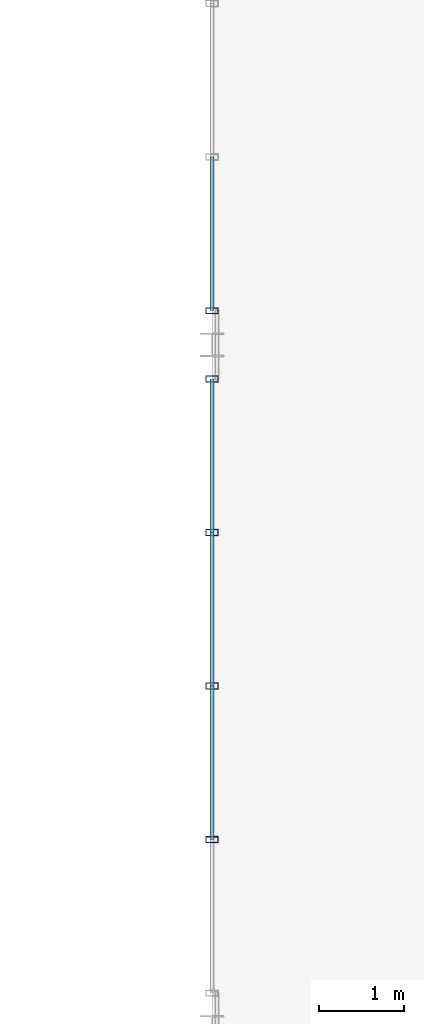
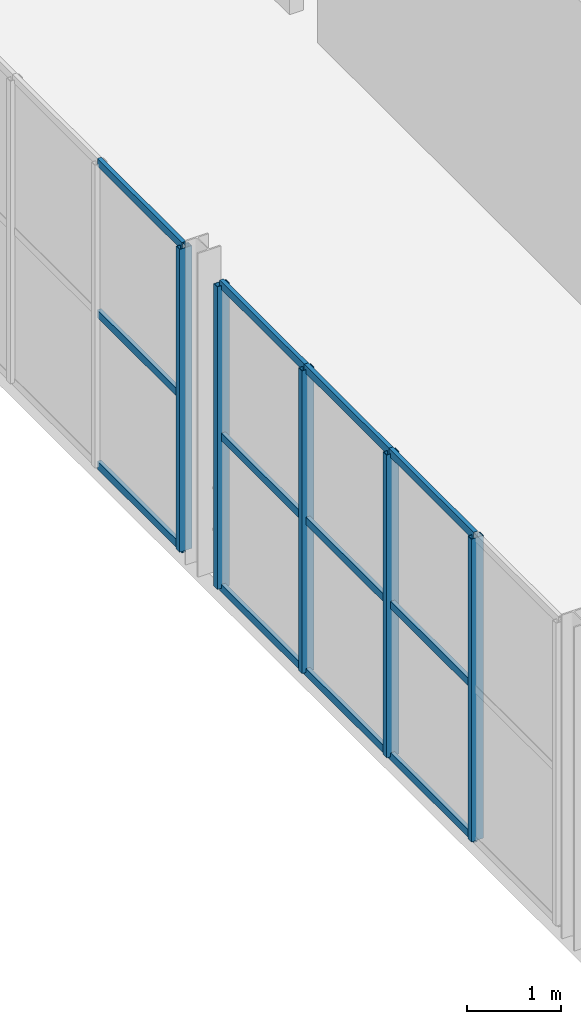
# One storey, part 51 of 122: 17 members, 2 elements without a shape of their own.
"""IFC4 building model written with IfcOpenShell, lengths in metres."""

import ifcopenshell
import ifcopenshell.guid

model = None  # the IFC model being written
_history = None  # IfcOwnerHistory: only IFC2X3 demands one
_inside = {}  # id of a spatial element -> (the spatial element, [elements in it])
_under = {}  # id of a project, library or spatial element -> (it, [spatial elements below it])
_declared = {}  # id of a project -> (the project, [libraries it declares])
_typed = {}  # id of a type object -> (the type object, [elements of that type])
_made_of = {}  # id of a material, layer set ... -> (it, [elements and type objects made of it])


def new_model(schema):
    """Start an empty IFC model of exactly this schema.

    Asked for "IFC4X3", IfcOpenShell would pick the latest addendum, in which some entities
    have other attributes; the version numbers below select the first issue.
    IFC2X3 requires an IfcOwnerHistory on every rooted entity: one is made here for all.
    """
    global model, _history
    if schema == "IFC4X3":
        model = ifcopenshell.file(schema_version=(4, 3, 0, 0))
    else:
        model = ifcopenshell.file(schema=schema)
    _inside.clear()
    _under.clear()
    _declared.clear()
    _typed.clear()
    _made_of.clear()
    _history = None
    if model.schema == "IFC2X3":
        org = make("IfcOrganization", Name="unknown")
        user = make(
            "IfcPersonAndOrganization",
            ThePerson=make("IfcPerson", FamilyName="unknown"),
            TheOrganization=org,
        )
        app = make(
            "IfcApplication",
            ApplicationDeveloper=org,
            Version="unknown",
            ApplicationFullName="unknown",
            ApplicationIdentifier="unknown",
        )
        _history = make(
            "IfcOwnerHistory",
            OwningUser=user,
            OwningApplication=app,
            ChangeAction="ADDED",
            CreationDate=0,
        )
    return model


def make(cls, **values):
    """One entity of the class cls with the attributes given. An attribute that is None is left unset."""
    return model.create_entity(
        cls, **{name: value for name, value in values.items() if value is not None}
    )


def rooted(cls, **values):
    """An entity with a GlobalId (a new one), such as an element, a storey or a relation."""
    return make(cls, GlobalId=ifcopenshell.guid.new(), OwnerHistory=_history, **values)


def si_unit(unit_type, name, prefix=None):
    """IfcSIUnit, for example si_unit("LENGTHUNIT", "METRE", prefix="MILLI")."""
    return make("IfcSIUnit", UnitType=unit_type, Prefix=prefix, Name=name)


def assignment(units):
    """IfcUnitAssignment: the units of a project."""
    return None if units is None else make("IfcUnitAssignment", Units=units)


def point(xyz):
    """IfcCartesianPoint."""
    return None if xyz is None else make("IfcCartesianPoint", Coordinates=xyz)


def direction(xyz):
    """IfcDirection."""
    return None if xyz is None else make("IfcDirection", DirectionRatios=xyz)


def frame(location, z_axis=None, x_axis=None):
    """IfcAxis2Placement3D, a coordinate frame: its origin and axes. An axis left out is left unset."""
    return make(
        "IfcAxis2Placement3D",
        Location=point(location),
        Axis=direction(z_axis),
        RefDirection=direction(x_axis),
    )


def frame_2d(location, x_axis=None):
    """IfcAxis2Placement2D, a coordinate frame in the plane: its origin and x axis."""
    return make(
        "IfcAxis2Placement2D", Location=point(location), RefDirection=direction(x_axis)
    )


def origin():
    """The frame at (0, 0, 0) with its axes left unset."""
    return frame((0.0, 0.0, 0.0))


def origin_2d():
    """The frame at (0, 0) in the plane with its x axis left unset."""
    return frame_2d((0.0, 0.0))


def place(relative_to, where):
    """IfcLocalPlacement: puts the frame where relative to a parent placement (None: the world)."""
    return make(
        "IfcLocalPlacement", PlacementRelTo=relative_to, RelativePlacement=where
    )


def context(
    kind, dimensions, precision=None, world=None, true_north=None, identifier=None
):
    """IfcGeometricRepresentationContext, for example the 3D "Model" context."""
    return make(
        "IfcGeometricRepresentationContext",
        ContextIdentifier=identifier,
        ContextType=kind,
        CoordinateSpaceDimension=dimensions,
        Precision=precision,
        WorldCoordinateSystem=world,
        TrueNorth=true_north,
    )


def subcontext(parent, identifier, kind, view, scale=None):
    """IfcGeometricRepresentationSubContext, for example "Body" below "Model"."""
    return make(
        "IfcGeometricRepresentationSubContext",
        ContextIdentifier=identifier,
        ContextType=kind,
        ParentContext=parent,
        TargetScale=scale,
        TargetView=view,
    )


def project(units=None, contexts=None):
    """IfcProject with its units and contexts."""
    return rooted(
        "IfcProject",
        Name="project",
        RepresentationContexts=contexts,
        UnitsInContext=assignment(units),
    )


def spatial(cls, under=None, at=None, **own):
    """A site, building, storey or space (cls), placed at a placement, below another one or the project."""
    s = rooted(cls, ObjectPlacement=at, **own)
    if under is not None:
        _under.setdefault(under.id(), (under, []))[1].append(s)
    return s


def profile(cls, at=None, kind="AREA", **sizes):
    """A parametric profile (cls). Its sizes go by their IFC names, for example OverallWidth=200.0."""
    return make(cls, ProfileType=kind, Position=at, **sizes)


def hollow_rectangle(**sizes):
    """IfcRectangleHollowProfileDef."""
    return profile("IfcRectangleHollowProfileDef", **sizes)


def extrude(swept, where, along, depth):
    """IfcExtrudedAreaSolid: the profile swept, set in the frame where, extruded along a direction by depth."""
    return make(
        "IfcExtrudedAreaSolid",
        SweptArea=swept,
        Position=where,
        ExtrudedDirection=direction(along),
        Depth=depth,
    )


def shape(context_of_items, identifier, shape_type, items):
    """IfcShapeRepresentation: the items that make up one representation, for example the "Body"."""
    return make(
        "IfcShapeRepresentation",
        ContextOfItems=context_of_items,
        RepresentationIdentifier=identifier,
        RepresentationType=shape_type,
        Items=items,
    )


def material(Name=None, Category=None):
    """IfcMaterial."""
    return make("IfcMaterial", Name=Name, Category=Category)


def material_profile(
    of_material, cross_section, Name=None, Category=None, Priority=None
):
    """IfcMaterialProfile: a cross section and its material."""
    return make(
        "IfcMaterialProfile",
        Name=Name,
        Material=of_material,
        Profile=cross_section,
        Priority=Priority,
        Category=Category,
    )


def profile_set(profiles, Name=None, composite=None):
    """IfcMaterialProfileSet."""
    return make(
        "IfcMaterialProfileSet",
        Name=Name,
        MaterialProfiles=profiles,
        CompositeProfile=composite,
    )


def made_of(thing, what):
    """Note that an element or type object is made of a material, layer set ...; save() writes the relation."""
    if what is not None:
        _made_of.setdefault(what.id(), (what, []))[1].append(thing)
    return thing


def type_object(cls, material=None, **own):
    """A type object (cls), such as IfcWallType, which elements share."""
    return made_of(rooted(cls, **own), material)


def element(
    cls,
    number,
    at=None,
    inside=None,
    cuts=None,
    type_object=None,
    material=None,
    context=None,
    identifier="Body",
    shape_type=None,
    held_by="IfcProductDefinitionShape",
    body=None,
    shapes=None,
    **own,
):
    """One element of the class cls, such as IfcWall. Its Tag is "e" and its number.

    at: its placement. inside: the storey or other place that contains it. cuts: it is an
    opening in that element (IfcRelVoidsElement). A single representation is given by context,
    identifier, shape_type and body (its items); several are given by shapes. held_by: the class
    of the entity that holds the representations. save() writes the other relations.
    """
    e = rooted(cls, Tag="e%d" % number, ObjectPlacement=at, **own)
    if body is not None:
        shapes = [shape(context, identifier, shape_type, body)]
    if shapes is not None:
        e.Representation = make(held_by, Representations=shapes)
    if inside is not None:
        _inside.setdefault(inside.id(), (inside, []))[1].append(e)
    if cuts is not None:
        rooted(
            "IfcRelVoidsElement", RelatingBuildingElement=cuts, RelatedOpeningElement=e
        )
    if type_object is not None:
        _typed.setdefault(type_object.id(), (type_object, []))[1].append(e)
    return made_of(e, material)


def aggregate(whole, parts):
    """IfcRelAggregates: a whole, such as a stair, and the parts it consists of."""
    return rooted("IfcRelAggregates", RelatingObject=whole, RelatedObjects=parts)


def save(model, path):
    """Write the relations noted so far, then the file.

    IfcRelAggregates (storeys below a building ...), IfcRelContainedInSpatialStructure (elements
    in a storey), IfcRelDefinesByType, IfcRelAssociatesMaterial and IfcRelDeclares: one each for
    every whole, place, type object, material and project.
    """
    for whole, parts in _under.values():
        aggregate(whole, parts)
    for where, things in _inside.values():
        rooted(
            "IfcRelContainedInSpatialStructure",
            RelatedElements=things,
            RelatingStructure=where,
        )
    for kind, things in _typed.values():
        rooted("IfcRelDefinesByType", RelatedObjects=things, RelatingType=kind)
    for what, things in _made_of.values():
        rooted("IfcRelAssociatesMaterial", RelatedObjects=things, RelatingMaterial=what)
    for by, libraries in _declared.values():
        rooted("IfcRelDeclares", RelatingContext=by, RelatedDefinitions=libraries)
    model.write(path)


model = new_model("IFC4")

# Units and contexts
model_context = context("Model", 3, precision=1e-05, world=origin(), true_north=direction((0.0, 1.0)))
body_context = subcontext(model_context, "Body", "Model", "MODEL_VIEW")
ifc_project = project(units=[si_unit("LENGTHUNIT", "METRE"), si_unit("AREAUNIT", "SQUARE_METRE"), si_unit("VOLUMEUNIT", "CUBIC_METRE"), si_unit("PLANEANGLEUNIT", "RADIAN"), si_unit("MASSUNIT", "GRAM", prefix="KILO")], contexts=[model_context])

# Site, building, storey
site_placement = place(None, origin())
site = spatial("IfcSite", under=ifc_project, at=site_placement, CompositionType="ELEMENT")
building_placement = place(site_placement, origin())
building = spatial("IfcBuilding", under=site, at=building_placement, Name="Sundkrona Museum", CompositionType="ELEMENT")
storey_placement = place(building_placement, frame((0.0, 0.0, 5.39990234375)))
storey = spatial("IfcBuildingStorey", under=building, at=storey_placement, Name="L01", CompositionType="ELEMENT", Elevation=5.39990234375)

# Curtain wall, members
ifc_material_1 = material(Name="Unitised Aluminium-Steel and Ceramic-Clad Curtain Walling", Category="steel")
curtain_wall_type = type_object("IfcCurtainWallType", Name="CW-PS-54x38", PredefinedType="NOTDEFINED", material=ifc_material_1)
curtain_wall_1_placement = place(storey_placement, origin())
curtain_wall_1 = element("IfcCurtainWall", 1, at=curtain_wall_1_placement, inside=storey, type_object=curtain_wall_type, Name="L01 Curtain Wall CW-L01-114", PredefinedType="NOTDEFINED")
ifc_material_2 = material(Name="Aluminium EN AW-6060 T66", Category="aluminium")
ifc_material_profile_1 = material_profile(ifc_material_2, hollow_rectangle(XDim=0.074951171875, YDim=0.14990234375, WallThickness=0.00634765625, at=origin_2d()), Name="RHS 150x75x6.3")
ifc_profile_set_1 = profile_set([ifc_material_profile_1], Name="Aluminium EN AW-6060 T66")
member_type_1 = type_object("IfcMemberType", Name="ML-150", PredefinedType="MULLION", material=ifc_profile_set_1)
member_1_placement = place(storey_placement, frame((80.0, 64.199951171875, -0.00390625), z_axis=(0.0, 0.0, 1.0), x_axis=(0.0, 1.0, 0.0)))
member_1 = element("IfcMember", 2, at=member_1_placement, type_object=member_type_1, Name="CW-L01-114 Mullion 02", PredefinedType="MULLION", context=body_context, shape_type="SweptSolid", body=[
    extrude(hollow_rectangle(XDim=0.074951171875, YDim=0.14990234375, WallThickness=0.00634765625, at=origin_2d()), origin(), (0.0, 0.0, 1.0), 3.927978515625),
])
member_2_placement = place(storey_placement, frame((80.0, 66.0, -0.00390625), z_axis=(0.0, 0.0, 1.0), x_axis=(0.0, 1.0, 0.0)))
member_2 = element("IfcMember", 3, at=member_2_placement, type_object=member_type_1, Name="CW-L01-114 Mullion 03", PredefinedType="MULLION", context=body_context, shape_type="SweptSolid", body=[
    extrude(hollow_rectangle(XDim=0.074951171875, YDim=0.14990234375, WallThickness=0.00634765625, at=origin_2d()), origin(), (0.0, 0.0, 1.0), 3.927978515625),
])
member_3_placement = place(storey_placement, frame((80.0, 67.800048828125, -0.00390625), z_axis=(0.0, 0.0, 1.0), x_axis=(0.0, 1.0, 0.0)))
member_3 = element("IfcMember", 4, at=member_3_placement, type_object=member_type_1, Name="CW-L01-114 Mullion 04", PredefinedType="MULLION", context=body_context, shape_type="SweptSolid", body=[
    extrude(hollow_rectangle(XDim=0.074951171875, YDim=0.14990234375, WallThickness=0.00634765625, at=origin_2d()), origin(), (0.0, 0.0, 1.0), 3.927978515625),
])
member_4_placement = place(storey_placement, frame((80.0, 69.60009765625, -0.00390625), z_axis=(0.0, 0.0, 1.0), x_axis=(0.0, 1.0, 0.0)))
member_4 = element("IfcMember", 5, at=member_4_placement, type_object=member_type_1, Name="CW-L01-114 Mullion 05", PredefinedType="MULLION", context=body_context, shape_type="SweptSolid", body=[
    extrude(hollow_rectangle(XDim=0.074951171875, YDim=0.14990234375, WallThickness=0.00634765625, at=origin_2d()), origin(), (0.0, 0.0, 1.0), 3.927978515625),
])

# Curtain wall, member
curtain_wall_2_placement = place(storey_placement, origin())
curtain_wall_2 = element("IfcCurtainWall", 6, at=curtain_wall_2_placement, inside=storey, type_object=curtain_wall_type, Name="L01 Curtain Wall CW-L01-116", PredefinedType="NOTDEFINED")
member_5_placement = place(storey_placement, frame((80.0, 70.39990234375, -0.00390625), z_axis=(0.0, 0.0, 1.0), x_axis=(0.0, 1.0, 0.0)))
member_5 = element("IfcMember", 7, at=member_5_placement, type_object=member_type_1, Name="CW-L01-116 Mullion 01", PredefinedType="MULLION", context=body_context, shape_type="SweptSolid", body=[
    extrude(hollow_rectangle(XDim=0.074951171875, YDim=0.14990234375, WallThickness=0.00634765625, at=origin_2d()), origin(), (0.0, 0.0, 1.0), 3.927978515625),
])

# Member
ifc_material_profile_2 = material_profile(ifc_material_2, hollow_rectangle(XDim=0.050048828125, YDim=0.10009765625, WallThickness=0.0048828125, at=origin_2d()), Name="RHS 100x50x5.0")
ifc_profile_set_2 = profile_set([ifc_material_profile_2], Name="Aluminium EN AW-6060 T66")
member_type_2 = type_object("IfcMemberType", Name="TR-100", PredefinedType="USERDEFINED", material=ifc_profile_set_2)
member_6_placement = place(storey_placement, frame((80.0, 64.199951171875, -0.00390625), z_axis=(0.0, 1.0, 0.0), x_axis=(-1.0, 0.0, 0.0)))
member_6 = element("IfcMember", 8, at=member_6_placement, type_object=member_type_2, Name="CW-L01-114 Transom 04", ObjectType="TRANSOM", PredefinedType="USERDEFINED", context=body_context, shape_type="SweptSolid", body=[
    extrude(hollow_rectangle(XDim=0.050048828125, YDim=0.10009765625, WallThickness=0.0048828125, at=origin_2d()), origin(), (0.0, 0.0, 1.0), 1.800048828125),
])

member_7_placement = place(storey_placement, frame((80.0, 64.199951171875, 1.960205078125), z_axis=(0.0, 1.0, 0.0), x_axis=(-1.0, 0.0, 0.0)))
member_7 = element("IfcMember", 9, at=member_7_placement, type_object=member_type_2, Name="CW-L01-114 Transom 05", ObjectType="TRANSOM", PredefinedType="USERDEFINED", context=body_context, shape_type="SweptSolid", body=[
    extrude(hollow_rectangle(XDim=0.050048828125, YDim=0.10009765625, WallThickness=0.0048828125, at=origin_2d()), origin(), (0.0, 0.0, 1.0), 1.800048828125),
])

member_8_placement = place(storey_placement, frame((80.0, 64.199951171875, 3.924072265625), z_axis=(0.0, 1.0, 0.0), x_axis=(-1.0, 0.0, 0.0)))
member_8 = element("IfcMember", 10, at=member_8_placement, type_object=member_type_2, Name="CW-L01-114 Transom 06", ObjectType="TRANSOM", PredefinedType="USERDEFINED", context=body_context, shape_type="SweptSolid", body=[
    extrude(hollow_rectangle(XDim=0.050048828125, YDim=0.10009765625, WallThickness=0.0048828125, at=origin_2d()), origin(), (0.0, 0.0, 1.0), 1.800048828125),
])

member_9_placement = place(storey_placement, frame((80.0, 66.0, -0.00390625), z_axis=(0.0, 1.0, 0.0), x_axis=(-1.0, 0.0, 0.0)))
member_9 = element("IfcMember", 11, at=member_9_placement, type_object=member_type_2, Name="CW-L01-114 Transom 07", ObjectType="TRANSOM", PredefinedType="USERDEFINED", context=body_context, shape_type="SweptSolid", body=[
    extrude(hollow_rectangle(XDim=0.050048828125, YDim=0.10009765625, WallThickness=0.0048828125, at=origin_2d()), origin(), (0.0, 0.0, 1.0), 1.800048828125),
])

member_10_placement = place(storey_placement, frame((80.0, 66.0, 1.960205078125), z_axis=(0.0, 1.0, 0.0), x_axis=(-1.0, 0.0, 0.0)))
member_10 = element("IfcMember", 12, at=member_10_placement, type_object=member_type_2, Name="CW-L01-114 Transom 08", ObjectType="TRANSOM", PredefinedType="USERDEFINED", context=body_context, shape_type="SweptSolid", body=[
    extrude(hollow_rectangle(XDim=0.050048828125, YDim=0.10009765625, WallThickness=0.0048828125, at=origin_2d()), origin(), (0.0, 0.0, 1.0), 1.800048828125),
])

member_11_placement = place(storey_placement, frame((80.0, 66.0, 3.924072265625), z_axis=(0.0, 1.0, 0.0), x_axis=(-1.0, 0.0, 0.0)))
member_11 = element("IfcMember", 13, at=member_11_placement, type_object=member_type_2, Name="CW-L01-114 Transom 09", ObjectType="TRANSOM", PredefinedType="USERDEFINED", context=body_context, shape_type="SweptSolid", body=[
    extrude(hollow_rectangle(XDim=0.050048828125, YDim=0.10009765625, WallThickness=0.0048828125, at=origin_2d()), origin(), (0.0, 0.0, 1.0), 1.800048828125),
])

member_12_placement = place(storey_placement, frame((80.0, 67.800048828125, -0.00390625), z_axis=(0.0, 1.0, 0.0), x_axis=(-1.0, 0.0, 0.0)))
member_12 = element("IfcMember", 14, at=member_12_placement, type_object=member_type_2, Name="CW-L01-114 Transom 10", ObjectType="TRANSOM", PredefinedType="USERDEFINED", context=body_context, shape_type="SweptSolid", body=[
    extrude(hollow_rectangle(XDim=0.050048828125, YDim=0.10009765625, WallThickness=0.0048828125, at=origin_2d()), origin(), (0.0, 0.0, 1.0), 1.800048828125),
])

member_13_placement = place(storey_placement, frame((80.0, 67.800048828125, 1.960205078125), z_axis=(0.0, 1.0, 0.0), x_axis=(-1.0, 0.0, 0.0)))
member_13 = element("IfcMember", 15, at=member_13_placement, type_object=member_type_2, Name="CW-L01-114 Transom 11", ObjectType="TRANSOM", PredefinedType="USERDEFINED", context=body_context, shape_type="SweptSolid", body=[
    extrude(hollow_rectangle(XDim=0.050048828125, YDim=0.10009765625, WallThickness=0.0048828125, at=origin_2d()), origin(), (0.0, 0.0, 1.0), 1.800048828125),
])

member_14_placement = place(storey_placement, frame((80.0, 67.800048828125, 3.924072265625), z_axis=(0.0, 1.0, 0.0), x_axis=(-1.0, 0.0, 0.0)))
member_14 = element("IfcMember", 16, at=member_14_placement, type_object=member_type_2, Name="CW-L01-114 Transom 12", ObjectType="TRANSOM", PredefinedType="USERDEFINED", context=body_context, shape_type="SweptSolid", body=[
    extrude(hollow_rectangle(XDim=0.050048828125, YDim=0.10009765625, WallThickness=0.0048828125, at=origin_2d()), origin(), (0.0, 0.0, 1.0), 1.800048828125),
])

aggregate(curtain_wall_1, [member_1, member_2, member_3, member_4, member_6, member_7, member_8, member_9, member_10, member_11, member_12, member_13, member_14])

member_15_placement = place(storey_placement, frame((80.0, 70.39990234375, -0.00390625), z_axis=(0.0, 1.0, 0.0), x_axis=(-1.0, 0.0, 0.0)))
member_15 = element("IfcMember", 17, at=member_15_placement, type_object=member_type_2, Name="CW-L01-116 Transom 01", ObjectType="TRANSOM", PredefinedType="USERDEFINED", context=body_context, shape_type="SweptSolid", body=[
    extrude(hollow_rectangle(XDim=0.050048828125, YDim=0.10009765625, WallThickness=0.0048828125, at=origin_2d()), origin(), (0.0, 0.0, 1.0), 1.800048828125),
])

member_16_placement = place(storey_placement, frame((80.0, 70.39990234375, 1.960205078125), z_axis=(0.0, 1.0, 0.0), x_axis=(-1.0, 0.0, 0.0)))
member_16 = element("IfcMember", 18, at=member_16_placement, type_object=member_type_2, Name="CW-L01-116 Transom 02", ObjectType="TRANSOM", PredefinedType="USERDEFINED", context=body_context, shape_type="SweptSolid", body=[
    extrude(hollow_rectangle(XDim=0.050048828125, YDim=0.10009765625, WallThickness=0.0048828125, at=origin_2d()), origin(), (0.0, 0.0, 1.0), 1.800048828125),
])

member_17_placement = place(storey_placement, frame((80.0, 70.39990234375, 3.924072265625), z_axis=(0.0, 1.0, 0.0), x_axis=(-1.0, 0.0, 0.0)))
member_17 = element("IfcMember", 19, at=member_17_placement, type_object=member_type_2, Name="CW-L01-116 Transom 03", ObjectType="TRANSOM", PredefinedType="USERDEFINED", context=body_context, shape_type="SweptSolid", body=[
    extrude(hollow_rectangle(XDim=0.050048828125, YDim=0.10009765625, WallThickness=0.0048828125, at=origin_2d()), origin(), (0.0, 0.0, 1.0), 1.800048828125),
])

aggregate(curtain_wall_2, [member_5, member_15, member_16, member_17])

save(model, "model.ifc")
